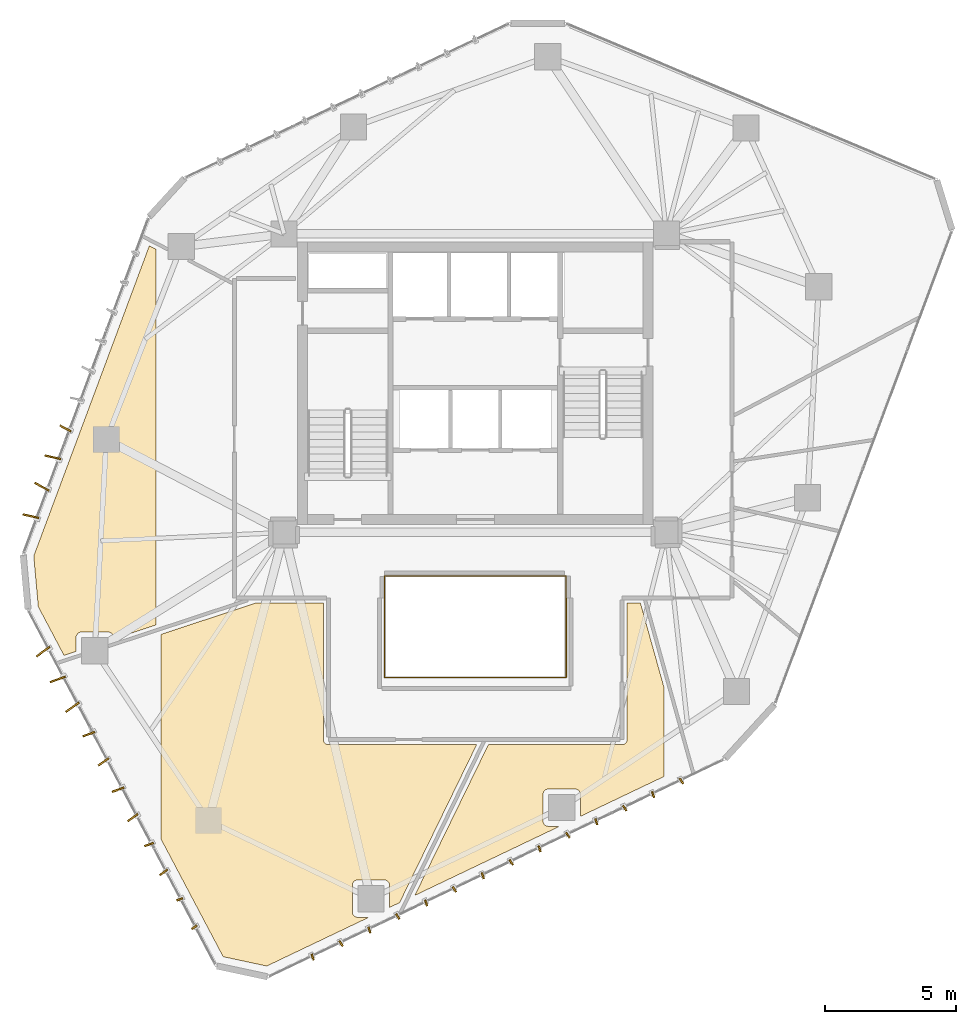
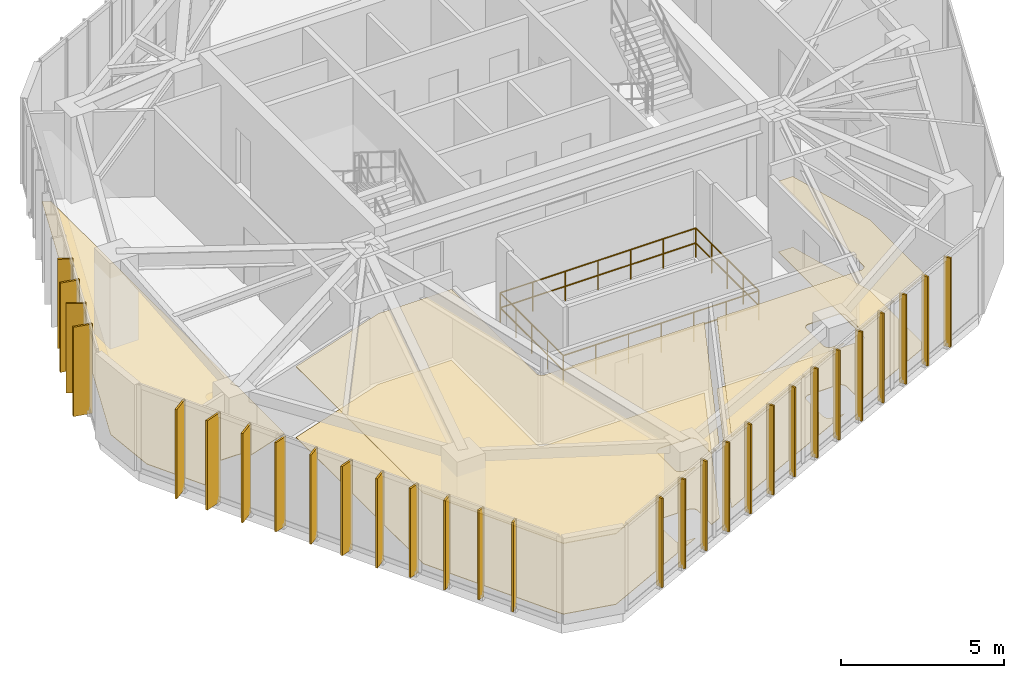
# One storey, part 17 of 18: 29 shading devices, 5 coverings, 4 railings.
"""IFC4 building model written with IfcOpenShell, lengths in metres."""

from ifc_helpers import new_model, si_unit, direction, frame, origin, origin_2d, place, context, subcontext, project, spatial, polyline, rectangle, circle, outline, extrude, source, transform, mapped, material, layer, layer_set, type_object, type_shapes, element, save


model = new_model("IFC4")

# Units and contexts
model_context = context("Model", 3, precision=1e-05, world=origin(), true_north=direction((0.0, 1.0)))
body_context = subcontext(model_context, "Body", "Model", "MODEL_VIEW")
ifc_project = project(units=[si_unit("LENGTHUNIT", "METRE"), si_unit("AREAUNIT", "SQUARE_METRE"), si_unit("VOLUMEUNIT", "CUBIC_METRE"), si_unit("PLANEANGLEUNIT", "RADIAN"), si_unit("MASSUNIT", "GRAM", prefix="KILO")], contexts=[model_context])

# Site, building, storey
site_placement = place(None, origin())
site = spatial("IfcSite", under=ifc_project, at=site_placement, CompositionType="ELEMENT")
building_placement = place(site_placement, origin())
building = spatial("IfcBuilding", under=site, at=building_placement, Name="Talar Marvaseh", CompositionType="ELEMENT")
storey_placement = place(building_placement, frame((0.0, 0.0, 167.0)))
storey = spatial("IfcBuildingStorey", under=building, at=storey_placement, Name="L43", CompositionType="ELEMENT", Elevation=167.0)

# Railings
ifc_material_1 = material(Name="Tempered Clear Glass", Category="glass")
railing_type = type_object("IfcRailingType", Name="Interior Atrium Edge Balustrade 1120", PredefinedType="BALUSTRADE", material=ifc_material_1)
railing_1_placement = place(storey_placement, frame((22.5302734375, 19.9609375, 0.0)))
element("IfcRailing", 1, at=railing_1_placement, inside=storey, type_object=railing_type, Name="L43 Internal Daylight Atrium Balustrade 1", PredefinedType="BALUSTRADE", context=body_context, shape_type="SweptSolid", body=[
    extrude(circle(Radius=0.02392578125, at=origin_2d()), frame((0.0, 0.0, 1.09619140625), z_axis=(1.0, 0.0, 0.0), x_axis=(0.0, 1.0, 0.0)), (0.0, 0.0, 1.0), 6.939453125),
    extrude(circle(Radius=0.02392578125, at=origin_2d()), frame((0.0, 0.0, 0.5361328125), z_axis=(1.0, 0.0, 0.0), x_axis=(0.0, 1.0, 0.0)), (0.0, 0.0, 1.0), 6.939453125),
    extrude(circle(Radius=0.02099609375, at=origin_2d()), origin(), (0.0, 0.0, 1.0), 1.072021484375),
    extrude(circle(Radius=0.02099609375, at=origin_2d()), frame((1.156494140625, 0.0, 0.0)), (0.0, 0.0, 1.0), 1.072021484375),
    extrude(circle(Radius=0.02099609375, at=origin_2d()), frame((2.313232421875, 0.0, 0.0)), (0.0, 0.0, 1.0), 1.072021484375),
    extrude(circle(Radius=0.02099609375, at=origin_2d()), frame((3.4697265625, 0.0, 0.0)), (0.0, 0.0, 1.0), 1.072021484375),
    extrude(circle(Radius=0.02099609375, at=origin_2d()), frame((4.626220703125, 0.0, 0.0)), (0.0, 0.0, 1.0), 1.072021484375),
    extrude(circle(Radius=0.02099609375, at=origin_2d()), frame((5.782958984375, 0.0, 0.0)), (0.0, 0.0, 1.0), 1.072021484375),
    extrude(circle(Radius=0.02099609375, at=origin_2d()), frame((6.939453125, 0.0, 0.0)), (0.0, 0.0, 1.0), 1.072021484375),
])
railing_2_placement = place(storey_placement, frame((29.4697265625, 19.9609375, 0.0)))
element("IfcRailing", 2, at=railing_2_placement, inside=storey, type_object=railing_type, Name="L43 Internal Daylight Atrium Balustrade 2", PredefinedType="BALUSTRADE", context=body_context, shape_type="SweptSolid", body=[
    extrude(circle(Radius=0.02392578125, at=origin_2d()), frame((0.0, 0.0, 1.09619140625), z_axis=(0.0, 1.0, 0.0), x_axis=(-1.0, 0.0, 0.0)), (0.0, 0.0, 1.0), 3.878173828125),
    extrude(circle(Radius=0.02392578125, at=origin_2d()), frame((0.0, 0.0, 0.5361328125), z_axis=(0.0, 1.0, 0.0), x_axis=(-1.0, 0.0, 0.0)), (0.0, 0.0, 1.0), 3.878173828125),
    extrude(circle(Radius=0.02099609375, at=origin_2d()), origin(), (0.0, 0.0, 1.0), 1.072021484375),
    extrude(circle(Radius=0.02099609375, at=origin_2d()), frame((0.0, 0.969482421875, 0.0)), (0.0, 0.0, 1.0), 1.072021484375),
    extrude(circle(Radius=0.02099609375, at=origin_2d()), frame((0.0, 1.93896484375, 0.0)), (0.0, 0.0, 1.0), 1.072021484375),
    extrude(circle(Radius=0.02099609375, at=origin_2d()), frame((0.0, 2.90869140625, 0.0)), (0.0, 0.0, 1.0), 1.072021484375),
    extrude(circle(Radius=0.02099609375, at=origin_2d()), frame((0.0, 3.878173828125, 0.0)), (0.0, 0.0, 1.0), 1.072021484375),
])
railing_3_placement = place(storey_placement, frame((29.4697265625, 23.839111328125, 0.0)))
element("IfcRailing", 3, at=railing_3_placement, inside=storey, type_object=railing_type, Name="L43 Internal Daylight Atrium Balustrade 3", PredefinedType="BALUSTRADE", context=body_context, shape_type="SweptSolid", body=[
    extrude(circle(Radius=0.02392578125, at=origin_2d()), frame((0.0, 0.0, 1.09619140625), z_axis=(-1.0, 0.0, 0.0), x_axis=(0.0, -1.0, 0.0)), (0.0, 0.0, 1.0), 6.939453125),
    extrude(circle(Radius=0.02392578125, at=origin_2d()), frame((0.0, 0.0, 0.5361328125), z_axis=(-1.0, 0.0, 0.0), x_axis=(0.0, -1.0, 0.0)), (0.0, 0.0, 1.0), 6.939453125),
    extrude(circle(Radius=0.02099609375, at=origin_2d()), origin(), (0.0, 0.0, 1.0), 1.072021484375),
    extrude(circle(Radius=0.02099609375, at=origin_2d()), frame((-1.156494140625, 0.0, 0.0)), (0.0, 0.0, 1.0), 1.072021484375),
    extrude(circle(Radius=0.02099609375, at=origin_2d()), frame((-2.313232421875, 0.0, 0.0)), (0.0, 0.0, 1.0), 1.072021484375),
    extrude(circle(Radius=0.02099609375, at=origin_2d()), frame((-3.4697265625, 0.0, 0.0)), (0.0, 0.0, 1.0), 1.072021484375),
    extrude(circle(Radius=0.02099609375, at=origin_2d()), frame((-4.626220703125, 0.0, 0.0)), (0.0, 0.0, 1.0), 1.072021484375),
    extrude(circle(Radius=0.02099609375, at=origin_2d()), frame((-5.782958984375, 0.0, 0.0)), (0.0, 0.0, 1.0), 1.072021484375),
    extrude(circle(Radius=0.02099609375, at=origin_2d()), frame((-6.939453125, 0.0, 0.0)), (0.0, 0.0, 1.0), 1.072021484375),
])
railing_4_placement = place(storey_placement, frame((22.5302734375, 23.839111328125, 0.0)))
element("IfcRailing", 4, at=railing_4_placement, inside=storey, type_object=railing_type, Name="L43 Internal Daylight Atrium Balustrade 4", PredefinedType="BALUSTRADE", context=body_context, shape_type="SweptSolid", body=[
    extrude(circle(Radius=0.02392578125, at=origin_2d()), frame((0.0, 0.0, 1.09619140625), z_axis=(0.0, -1.0, 0.0), x_axis=(1.0, 0.0, 0.0)), (0.0, 0.0, 1.0), 3.878173828125),
    extrude(circle(Radius=0.02392578125, at=origin_2d()), frame((0.0, 0.0, 0.5361328125), z_axis=(0.0, -1.0, 0.0), x_axis=(1.0, 0.0, 0.0)), (0.0, 0.0, 1.0), 3.878173828125),
    extrude(circle(Radius=0.02099609375, at=origin_2d()), origin(), (0.0, 0.0, 1.0), 1.072021484375),
    extrude(circle(Radius=0.02099609375, at=origin_2d()), frame((0.0, -0.969482421875, 0.0)), (0.0, 0.0, 1.0), 1.072021484375),
    extrude(circle(Radius=0.02099609375, at=origin_2d()), frame((0.0, -1.93896484375, 0.0)), (0.0, 0.0, 1.0), 1.072021484375),
    extrude(circle(Radius=0.02099609375, at=origin_2d()), frame((0.0, -2.90869140625, 0.0)), (0.0, 0.0, 1.0), 1.072021484375),
    extrude(circle(Radius=0.02099609375, at=origin_2d()), frame((0.0, -3.878173828125, 0.0)), (0.0, 0.0, 1.0), 1.072021484375),
])

# Coverings
ifc_material_2 = material(Name="Mineral Fibre Acoustic Ceiling")
ifc_layer_1 = layer(ifc_material_2, 0.02490234375)
ifc_layer_set_1 = layer_set([ifc_layer_1], Name="Mineral Fibre Acoustic Ceiling")
covering_type_1 = type_object("IfcCoveringType", Name="Perforated Mineral Fibre Acoustic Suspended Ceiling", PredefinedType="CEILING", material=ifc_layer_set_1)
covering_1_placement = place(storey_placement, frame((0.0, 0.0, 2.64990234375)))
element("IfcCovering", 5, at=covering_1_placement, inside=storey, type_object=covering_type_1, Name="L43 Seminar Room Acoustic Ceiling", PredefinedType="CEILING", context=body_context, shape_type="SweptSolid", body=[
    extrude(outline(polyline([(14.0, 21.610107421875), (17.603759765625, 22.800048828125), (20.199951171875, 22.800048828125), (20.199951171875, 17.60009765625), (20.200927734375, 17.580322265625), (20.203857421875, 17.56103515625), (20.20849609375, 17.5419921875), (20.215087890625, 17.5234375), (20.2236328125, 17.505615234375), (20.233642578125, 17.489013671875), (20.245361328125, 17.47314453125), (20.258544921875, 17.45849609375), (20.273193359375, 17.4453125), (20.288818359375, 17.43359375), (20.3056640625, 17.423583984375), (20.323486328125, 17.415283203125), (20.341796875, 17.40869140625), (20.361083984375, 17.40380859375), (20.38037109375, 17.40087890625), (20.39990234375, 17.39990234375), (26.0537109375, 17.39990234375), (23.112060546875, 11.366455078125), (22.726318359375, 11.182373046875), (22.72998046875, 12.019775390625), (22.72900390625, 12.038330078125), (22.7265625, 12.056640625), (22.722412109375, 12.074951171875), (22.716552734375, 12.092529296875), (22.708984375, 12.109619140625), (22.699951171875, 12.1259765625), (22.689208984375, 12.141357421875), (22.677490234375, 12.155517578125), (22.664306640625, 12.168701171875), (22.6494140625, 12.18212890625), (22.635009765625, 12.194091796875), (22.61962890625, 12.204345703125), (22.603515625, 12.21337890625), (22.586669921875, 12.220703125), (22.569091796875, 12.2265625), (22.551025390625, 12.230712890625), (22.53271484375, 12.233154296875), (22.51416015625, 12.23388671875), (21.50341796875, 12.2294921875), (21.48388671875, 12.228515625), (21.464599609375, 12.2255859375), (21.44580078125, 12.220703125), (21.42724609375, 12.214111328125), (21.40966796875, 12.205810546875), (21.392822265625, 12.195556640625), (21.377197265625, 12.183837890625), (21.36279296875, 12.170654296875), (21.349609375, 12.15625), (21.337890625, 12.140380859375), (21.327880859375, 12.12353515625), (21.319580078125, 12.10595703125), (21.31298828125, 12.08740234375), (21.30810546875, 12.068603515625), (21.305419921875, 12.049072265625), (21.304443359375, 12.029541015625), (21.304443359375, 11.00830078125), (21.305419921875, 10.98876953125), (21.30810546875, 10.969482421875), (21.31298828125, 10.9501953125), (21.319580078125, 10.931884765625), (21.327880859375, 10.9140625), (21.338134765625, 10.897216796875), (21.349853515625, 10.881591796875), (21.363037109375, 10.866943359375), (21.37744140625, 10.853759765625), (21.393310546875, 10.842041015625), (21.41015625, 10.83203125), (21.427978515625, 10.823486328125), (21.4462890625, 10.81689453125), (21.46533203125, 10.812255859375), (21.48486328125, 10.809326171875), (21.50439453125, 10.808349609375), (21.942626953125, 10.808349609375), (18.039306640625, 8.94580078125), (16.373779296875, 9.302001953125), (14.0, 13.79541015625), (14.0, 21.610107421875)])), origin(), (0.0, 0.0, 1.0), 0.025146484375),
])
covering_2_placement = place(storey_placement, frame((0.0, 0.0, 2.64990234375)))
element("IfcCovering", 6, at=covering_2_placement, inside=storey, type_object=covering_type_1, Name="L43 Museum Publication Bookshop Acoustic Ceiling", PredefinedType="CEILING", context=body_context, shape_type="SweptSolid", body=[
    extrude(outline(polyline([(31.61962890625, 17.40087890625), (31.638916015625, 17.40380859375), (31.658203125, 17.40869140625), (31.676513671875, 17.415283203125), (31.6943359375, 17.423583984375), (31.711181640625, 17.43359375), (31.726806640625, 17.4453125), (31.741455078125, 17.45849609375), (31.754638671875, 17.47314453125), (31.766357421875, 17.489013671875), (31.7763671875, 17.505615234375), (31.784912109375, 17.5234375), (31.79150390625, 17.5419921875), (31.796142578125, 17.56103515625), (31.799072265625, 17.580322265625), (31.800048828125, 17.60009765625), (31.800048828125, 22.800048828125), (32.30615234375, 22.800048828125), (33.199951171875, 19.60205078125), (33.199951171875, 16.179931640625), (30.01025390625, 14.657958984375), (30.013916015625, 15.49462890625), (30.01318359375, 15.51318359375), (30.010498046875, 15.53173828125), (30.00634765625, 15.5498046875), (30.00048828125, 15.567626953125), (29.992919921875, 15.584716796875), (29.98388671875, 15.600830078125), (29.973388671875, 15.6162109375), (29.96142578125, 15.630615234375), (29.9482421875, 15.643798828125), (29.933349609375, 15.6572265625), (29.9189453125, 15.6689453125), (29.90380859375, 15.679443359375), (29.887451171875, 15.688232421875), (29.87060546875, 15.69580078125), (29.85302734375, 15.70166015625), (29.8349609375, 15.705810546875), (29.816650390625, 15.708251953125), (29.798095703125, 15.708984375), (28.78759765625, 15.70458984375), (28.76806640625, 15.70361328125), (28.74853515625, 15.70068359375), (28.729736328125, 15.69580078125), (28.711181640625, 15.689208984375), (28.693603515625, 15.6806640625), (28.6767578125, 15.670654296875), (28.6611328125, 15.658935546875), (28.646728515625, 15.645751953125), (28.633544921875, 15.631103515625), (28.621826171875, 15.615478515625), (28.61181640625, 15.5986328125), (28.603515625, 15.580810546875), (28.596923828125, 15.5625), (28.59228515625, 15.54345703125), (28.58935546875, 15.524169921875), (28.58837890625, 15.504638671875), (28.58837890625, 14.4833984375), (28.58935546875, 14.4638671875), (28.59228515625, 14.4443359375), (28.596923828125, 14.42529296875), (28.603515625, 14.406982421875), (28.612060546875, 14.38916015625), (28.6220703125, 14.372314453125), (28.6337890625, 14.3564453125), (28.64697265625, 14.342041015625), (28.66162109375, 14.328857421875), (28.67724609375, 14.317138671875), (28.694091796875, 14.306884765625), (28.7119140625, 14.298583984375), (28.730224609375, 14.2919921875), (28.74951171875, 14.287109375), (28.768798828125, 14.284423828125), (28.788330078125, 14.283447265625), (29.225341796875, 14.283447265625), (23.69189453125, 11.64306640625), (26.49853515625, 17.39990234375), (31.60009765625, 17.39990234375), (31.61962890625, 17.40087890625)])), origin(), (0.0, 0.0, 1.0), 0.025146484375),
])
ifc_material_3 = material(Name="Porcelain Stoneware Tile", Category="masonry")
ifc_layer_2 = layer(ifc_material_3, 0.02001953125)
ifc_layer_set_2 = layer_set([ifc_layer_2], Name="Porcelain Stoneware Tile")
covering_type_2 = type_object("IfcCoveringType", Name="Polished Porcelain Stoneware Gallery Flooring", PredefinedType="FLOORING", material=ifc_layer_set_2)
covering_3_placement = place(storey_placement, origin())
element("IfcCovering", 7, at=covering_3_placement, inside=storey, type_object=covering_type_2, Name="L43 Seminar Room Flooring", PredefinedType="FLOORING", context=body_context, shape_type="SweptSolid", body=[
    extrude(outline(polyline([(14.0, 21.610107421875), (17.603759765625, 22.800048828125), (20.199951171875, 22.800048828125), (20.199951171875, 17.60009765625), (20.200927734375, 17.580322265625), (20.203857421875, 17.56103515625), (20.20849609375, 17.5419921875), (20.215087890625, 17.5234375), (20.2236328125, 17.505615234375), (20.233642578125, 17.489013671875), (20.245361328125, 17.47314453125), (20.258544921875, 17.45849609375), (20.273193359375, 17.4453125), (20.288818359375, 17.43359375), (20.3056640625, 17.423583984375), (20.323486328125, 17.415283203125), (20.341796875, 17.40869140625), (20.361083984375, 17.40380859375), (20.38037109375, 17.40087890625), (20.39990234375, 17.39990234375), (26.0537109375, 17.39990234375), (23.112060546875, 11.366455078125), (22.726318359375, 11.182373046875), (22.72998046875, 12.019775390625), (22.72900390625, 12.038330078125), (22.7265625, 12.056640625), (22.722412109375, 12.074951171875), (22.716552734375, 12.092529296875), (22.708984375, 12.109619140625), (22.699951171875, 12.1259765625), (22.689208984375, 12.141357421875), (22.677490234375, 12.155517578125), (22.664306640625, 12.168701171875), (22.6494140625, 12.18212890625), (22.635009765625, 12.194091796875), (22.61962890625, 12.204345703125), (22.603515625, 12.21337890625), (22.586669921875, 12.220703125), (22.569091796875, 12.2265625), (22.551025390625, 12.230712890625), (22.53271484375, 12.233154296875), (22.51416015625, 12.23388671875), (21.50341796875, 12.2294921875), (21.48388671875, 12.228515625), (21.464599609375, 12.2255859375), (21.44580078125, 12.220703125), (21.42724609375, 12.214111328125), (21.40966796875, 12.205810546875), (21.392822265625, 12.195556640625), (21.377197265625, 12.183837890625), (21.36279296875, 12.170654296875), (21.349609375, 12.15625), (21.337890625, 12.140380859375), (21.327880859375, 12.12353515625), (21.319580078125, 12.10595703125), (21.31298828125, 12.08740234375), (21.30810546875, 12.068603515625), (21.305419921875, 12.049072265625), (21.304443359375, 12.029541015625), (21.304443359375, 11.00830078125), (21.305419921875, 10.98876953125), (21.30810546875, 10.969482421875), (21.31298828125, 10.9501953125), (21.319580078125, 10.931884765625), (21.327880859375, 10.9140625), (21.338134765625, 10.897216796875), (21.349853515625, 10.881591796875), (21.363037109375, 10.866943359375), (21.37744140625, 10.853759765625), (21.393310546875, 10.842041015625), (21.41015625, 10.83203125), (21.427978515625, 10.823486328125), (21.4462890625, 10.81689453125), (21.46533203125, 10.812255859375), (21.48486328125, 10.809326171875), (21.50439453125, 10.808349609375), (21.942626953125, 10.808349609375), (18.039306640625, 8.94580078125), (16.373779296875, 9.302001953125), (14.0, 13.79541015625), (14.0, 21.610107421875)])), origin(), (0.0, 0.0, 1.0), 0.02001953125),
])
covering_4_placement = place(storey_placement, origin())
element("IfcCovering", 8, at=covering_4_placement, inside=storey, type_object=covering_type_2, Name="L43 Museum Publication Bookshop Flooring", PredefinedType="FLOORING", context=body_context, shape_type="SweptSolid", body=[
    extrude(outline(polyline([(31.61962890625, 17.40087890625), (31.638916015625, 17.40380859375), (31.658203125, 17.40869140625), (31.676513671875, 17.415283203125), (31.6943359375, 17.423583984375), (31.711181640625, 17.43359375), (31.726806640625, 17.4453125), (31.741455078125, 17.45849609375), (31.754638671875, 17.47314453125), (31.766357421875, 17.489013671875), (31.7763671875, 17.505615234375), (31.784912109375, 17.5234375), (31.79150390625, 17.5419921875), (31.796142578125, 17.56103515625), (31.799072265625, 17.580322265625), (31.800048828125, 17.60009765625), (31.800048828125, 22.800048828125), (32.30615234375, 22.800048828125), (33.199951171875, 19.60205078125), (33.199951171875, 16.179931640625), (30.01025390625, 14.657958984375), (30.013916015625, 15.49462890625), (30.01318359375, 15.51318359375), (30.010498046875, 15.53173828125), (30.00634765625, 15.5498046875), (30.00048828125, 15.567626953125), (29.992919921875, 15.584716796875), (29.98388671875, 15.600830078125), (29.973388671875, 15.6162109375), (29.96142578125, 15.630615234375), (29.9482421875, 15.643798828125), (29.933349609375, 15.6572265625), (29.9189453125, 15.6689453125), (29.90380859375, 15.679443359375), (29.887451171875, 15.688232421875), (29.87060546875, 15.69580078125), (29.85302734375, 15.70166015625), (29.8349609375, 15.705810546875), (29.816650390625, 15.708251953125), (29.798095703125, 15.708984375), (28.78759765625, 15.70458984375), (28.76806640625, 15.70361328125), (28.74853515625, 15.70068359375), (28.729736328125, 15.69580078125), (28.711181640625, 15.689208984375), (28.693603515625, 15.6806640625), (28.6767578125, 15.670654296875), (28.6611328125, 15.658935546875), (28.646728515625, 15.645751953125), (28.633544921875, 15.631103515625), (28.621826171875, 15.615478515625), (28.61181640625, 15.5986328125), (28.603515625, 15.580810546875), (28.596923828125, 15.5625), (28.59228515625, 15.54345703125), (28.58935546875, 15.524169921875), (28.58837890625, 15.504638671875), (28.58837890625, 14.4833984375), (28.58935546875, 14.4638671875), (28.59228515625, 14.4443359375), (28.596923828125, 14.42529296875), (28.603515625, 14.406982421875), (28.612060546875, 14.38916015625), (28.6220703125, 14.372314453125), (28.6337890625, 14.3564453125), (28.64697265625, 14.342041015625), (28.66162109375, 14.328857421875), (28.67724609375, 14.317138671875), (28.694091796875, 14.306884765625), (28.7119140625, 14.298583984375), (28.730224609375, 14.2919921875), (28.74951171875, 14.287109375), (28.768798828125, 14.284423828125), (28.788330078125, 14.283447265625), (29.225341796875, 14.283447265625), (23.69189453125, 11.64306640625), (26.49853515625, 17.39990234375), (31.60009765625, 17.39990234375), (31.61962890625, 17.40087890625)])), origin(), (0.0, 0.0, 1.0), 0.02001953125),
])
covering_5_placement = place(storey_placement, origin())
element("IfcCovering", 9, at=covering_5_placement, inside=storey, type_object=covering_type_2, Name="L43 Archival Facsimile Boutique Flooring", PredefinedType="FLOORING", context=body_context, shape_type="SweptSolid", body=[
    extrude(outline(polyline([(13.800048828125, 36.31884765625), (13.800048828125, 21.96533203125), (12.18701171875, 21.432861328125), (12.18701171875, 21.486083984375), (12.185791015625, 21.507080078125), (12.1826171875, 21.528076171875), (12.177001953125, 21.54833984375), (12.16943359375, 21.568115234375), (12.15966796875, 21.5869140625), (12.148193359375, 21.6044921875), (12.137451171875, 21.618896484375), (12.125732421875, 21.633544921875), (12.112548828125, 21.64697265625), (12.098388671875, 21.658935546875), (12.0830078125, 21.669677734375), (12.066650390625, 21.678955078125), (12.049560546875, 21.6865234375), (12.03173828125, 21.692626953125), (12.013671875, 21.697021484375), (11.9951171875, 21.699462890625), (11.976318359375, 21.700439453125), (10.967529296875, 21.700439453125), (10.948974609375, 21.699462890625), (10.930419921875, 21.697021484375), (10.912109375, 21.692626953125), (10.894287109375, 21.6865234375), (10.87744140625, 21.678955078125), (10.861083984375, 21.669677734375), (10.845703125, 21.658935546875), (10.831298828125, 21.64697265625), (10.818359375, 21.633544921875), (10.806396484375, 21.618896484375), (10.7958984375, 21.6044921875), (10.7841796875, 21.5869140625), (10.774658203125, 21.568115234375), (10.76708984375, 21.54833984375), (10.761474609375, 21.528076171875), (10.758056640625, 21.507080078125), (10.757080078125, 21.486083984375), (10.757080078125, 20.960693359375), (10.29541015625, 20.80810546875), (9.31494140625, 22.6640625), (9.141357421875, 24.599609375), (13.5546875, 36.4462890625), (13.800048828125, 36.31884765625)])), origin(), (0.0, 0.0, 1.0), 0.02001953125),
])

# Shading devices
ifc_material_4 = material(Name="Anodised Champagne Bronze Aluminium", Category="aluminium")
ifc_layer_3 = layer(ifc_material_4, 0.06494140625)
ifc_layer_set_3 = layer_set([ifc_layer_3], Name="Anodised Champagne Bronze Aluminium")
shading_device_type_1 = type_object("IfcShadingDeviceType", Name="Sawtooth Champagne Bronze Vertical Fin 240", PredefinedType="USERDEFINED", material=ifc_layer_set_3)
shared_shape_1 = source(origin(), body_context, "Body", "SweptSolid", [
    extrude(rectangle(XDim=0.239990234375, YDim=0.06494140625, at=origin_2d()), origin(), (0.0, 0.0, 1.0), 3.35009765625),
])
type_shapes(shading_device_type_1, [shared_shape_1])
for number, where, z_axis, x_axis, name in (
    (10, (15.274658203125, 10.429931640625, -0.1201171875), (0.0, 0.0, 1.0), (-0.810553038353, -0.585665238866, 0.0), "L43 Sawtooth Vertical Solar Fin"),
    (11, (14.714111328125, 11.490966796875, -0.1201171875), (0.0, 0.0, 1.0), (-0.94058480613, -0.339558864524, 0.0), "L43 Sawtooth Vertical Solar Fin"),
    (12, (33.8701171875, 16.006591796875, -0.1201171875), (0.0, 0.0, 1.0), (0.552082517437, -0.83378947819, 0.0), "L43 Sawtooth Vertical Solar Fin"),
    (13, (32.787109375, 15.489990234375, -0.1201171875), (0.0, 0.0, 1.0), (0.300872249933, -0.95366445316, 0.0), "L43 Sawtooth Vertical Solar Fin"),
    (14, (31.7041015625, 14.97314453125, -0.1201171875), (0.0, 0.0, 1.0), (0.552082517437, -0.83378947819, 0.0), "L43 Sawtooth Vertical Solar Fin"),
    (15, (30.62109375, 14.456298828125, -0.1201171875), (0.0, 0.0, 1.0), (0.300872249933, -0.95366445316, 0.0), "L43 Sawtooth Vertical Solar Fin"),
    (16, (29.5380859375, 13.939453125, -0.1201171875), (0.0, 0.0, 1.0), (0.552082517437, -0.83378947819, 0.0), "L43 Sawtooth Vertical Solar Fin"),
    (17, (28.455078125, 13.4228515625, -0.1201171875), (0.0, 0.0, 1.0), (0.300872249933, -0.95366445316, 0.0), "L43 Sawtooth Vertical Solar Fin"),
    (18, (27.371826171875, 12.906005859375, -0.1201171875), (0.0, 0.0, 1.0), (0.552082517437, -0.83378947819, 0.0), "L43 Sawtooth Vertical Solar Fin"),
    (19, (26.288818359375, 12.38916015625, -0.1201171875), (0.0, 0.0, 1.0), (0.300872249933, -0.95366445316, 0.0), "L43 Sawtooth Vertical Solar Fin"),
    (20, (25.205810546875, 11.872314453125, -0.1201171875), (0.0, 0.0, 1.0), (0.552082517437, -0.83378947819, 0.0), "L43 Sawtooth Vertical Solar Fin"),
    (21, (24.122802734375, 11.355712890625, -0.1201171875), (0.0, 0.0, 1.0), (0.300872249933, -0.95366445316, 0.0), "L43 Sawtooth Vertical Solar Fin"),
    (22, (23.039794921875, 10.8388671875, -0.1201171875), (0.0, 0.0, 1.0), (0.552082517437, -0.83378947819, 0.0), "L43 Sawtooth Vertical Solar Fin"),
    (23, (21.956787109375, 10.322021484375, -0.1201171875), (0.0, 0.0, 1.0), (0.300872249933, -0.95366445316, 0.0), "L43 Sawtooth Vertical Solar Fin"),
    (24, (20.873779296875, 9.805419921875, -0.1201171875), (0.0, 0.0, 1.0), (0.552082517437, -0.83378947819, 0.0), "L43 Sawtooth Vertical Solar Fin"),
    (25, (19.790771484375, 9.28857421875, -0.1201171875), (0.0, 0.0, 1.0), (0.300872249933, -0.95366445316, 0.0), "L43 Sawtooth Vertical Solar Fin"),
):
    element("IfcShadingDevice", number, at=place(storey_placement, frame(where, z_axis=z_axis, x_axis=x_axis)), inside=storey, type_object=shading_device_type_1, Name=name, ObjectType="FIN", PredefinedType="USERDEFINED", context=body_context, shape_type="MappedRepresentation", body=[
        mapped(shared_shape_1, transform((0.0, 0.0, 0.0), x_axis=(1.0, 0.0, 0.0), y_axis=(0.0, 1.0, 0.0), z_axis=(0.0, 0.0, 1.0), scale=1.0)),
    ])
ifc_layer_4 = layer(ifc_material_4, 0.06494140625)
ifc_layer_set_4 = layer_set([ifc_layer_4], Name="Anodised Champagne Bronze Aluminium")
shading_device_type_2 = type_object("IfcShadingDeviceType", Name="Sawtooth Champagne Bronze Vertical Fin 360", PredefinedType="USERDEFINED", material=ifc_layer_set_4)
shared_shape_2 = source(origin(), body_context, "Body", "SweptSolid", [
    extrude(rectangle(XDim=0.360107421875, YDim=0.06494140625, at=origin_2d()), origin(), (0.0, 0.0, 1.0), 3.35009765625),
])
type_shapes(shading_device_type_2, [shared_shape_2])
for number, where, z_axis, x_axis, name in (
    (26, (14.1005859375, 12.52392578125, -0.1201171875), (0.0, 0.0, 1.0), (-0.810553038353, -0.585665238866, 0.0), "L43 Sawtooth Vertical Solar Fin"),
    (27, (13.5400390625, 13.585205078125, -0.1201171875), (0.0, 0.0, 1.0), (-0.94058480613, -0.339558864524, 0.0), "L43 Sawtooth Vertical Solar Fin"),
):
    element("IfcShadingDevice", number, at=place(storey_placement, frame(where, z_axis=z_axis, x_axis=x_axis)), inside=storey, type_object=shading_device_type_2, Name=name, ObjectType="FIN", PredefinedType="USERDEFINED", context=body_context, shape_type="MappedRepresentation", body=[
        mapped(shared_shape_2, transform((0.0, 0.0, 0.0), x_axis=(1.0, 0.0, 0.0), y_axis=(0.0, 1.0, 0.0), z_axis=(0.0, 0.0, 1.0), scale=1.0)),
    ])
ifc_layer_5 = layer(ifc_material_4, 0.06494140625)
ifc_layer_set_5 = layer_set([ifc_layer_5], Name="Anodised Champagne Bronze Aluminium")
shading_device_type_3 = type_object("IfcShadingDeviceType", Name="Sawtooth Champagne Bronze Vertical Fin 480", PredefinedType="USERDEFINED", material=ifc_layer_set_5)
shared_shape_3 = source(origin(), body_context, "Body", "SweptSolid", [
    extrude(rectangle(XDim=0.47998046875, YDim=0.06494140625, at=origin_2d()), origin(), (0.0, 0.0, 1.0), 3.35009765625),
])
type_shapes(shading_device_type_3, [shared_shape_3])
for number, where, z_axis, x_axis, name in (
    (28, (12.926513671875, 14.6181640625, -0.1201171875), (0.0, 0.0, 1.0), (-0.810553038353, -0.585665238866, 0.0), "L43 Sawtooth Vertical Solar Fin"),
    (29, (12.365966796875, 15.67919921875, -0.1201171875), (0.0, 0.0, 1.0), (-0.94058480613, -0.339558864524, 0.0), "L43 Sawtooth Vertical Solar Fin"),
    (30, (11.805419921875, 16.740234375, -0.1201171875), (0.0, 0.0, 1.0), (-0.810553038353, -0.585665238866, 0.0), "L43 Sawtooth Vertical Solar Fin"),
    (31, (11.244873046875, 17.80126953125, -0.1201171875), (0.0, 0.0, 1.0), (-0.94058480613, -0.339558864524, 0.0), "L43 Sawtooth Vertical Solar Fin"),
    (32, (10.353515625, 29.4716796875, -0.1201171875), (0.0, 0.0, 1.0), (-0.879399416044, 0.476084726767, 0.0), "L43 Sawtooth Vertical Solar Fin"),
):
    element("IfcShadingDevice", number, at=place(storey_placement, frame(where, z_axis=z_axis, x_axis=x_axis)), inside=storey, type_object=shading_device_type_3, Name=name, ObjectType="FIN", PredefinedType="USERDEFINED", context=body_context, shape_type="MappedRepresentation", body=[
        mapped(shared_shape_3, transform((0.0, 0.0, 0.0), x_axis=(1.0, 0.0, 0.0), y_axis=(0.0, 1.0, 0.0), z_axis=(0.0, 0.0, 1.0), scale=1.0)),
    ])
ifc_layer_6 = layer(ifc_material_4, 0.06494140625)
ifc_layer_set_6 = layer_set([ifc_layer_6], Name="Anodised Champagne Bronze Aluminium")
shading_device_type_4 = type_object("IfcShadingDeviceType", Name="Sawtooth Champagne Bronze Vertical Fin 620", PredefinedType="USERDEFINED", material=ifc_layer_set_6)
shared_shape_4 = source(origin(), body_context, "Body", "SweptSolid", [
    extrude(rectangle(XDim=0.6201171875, YDim=0.06494140625, at=origin_2d()), origin(), (0.0, 0.0, 1.0), 3.35009765625),
])
type_shapes(shading_device_type_4, [shared_shape_4])
for number, where, z_axis, x_axis, name in (
    (33, (10.622314453125, 18.82958984375, -0.1201171875), (0.0, 0.0, 1.0), (-0.810553038353, -0.585665238866, 0.0), "L43 Sawtooth Vertical Solar Fin"),
    (34, (10.06201171875, 19.890625, -0.1201171875), (0.0, 0.0, 1.0), (-0.94058480613, -0.339558864524, 0.0), "L43 Sawtooth Vertical Solar Fin"),
    (35, (9.50146484375, 20.95166015625, -0.1201171875), (0.0, 0.0, 1.0), (-0.810553038353, -0.585665238866, 0.0), "L43 Sawtooth Vertical Solar Fin"),
    (36, (9.031005859375, 26.12255859375, -0.1201171875), (0.0, 0.0, 1.0), (-0.976559709305, 0.215246682117, 0.0), "L43 Sawtooth Vertical Solar Fin"),
    (37, (9.449951171875, 27.2470703125, -0.1201171875), (0.0, 0.0, 1.0), (-0.879399416044, 0.476084726767, 0.0), "L43 Sawtooth Vertical Solar Fin"),
    (38, (9.868896484375, 28.37158203125, -0.1201171875), (0.0, 0.0, 1.0), (-0.976559709305, 0.215246682117, 0.0), "L43 Sawtooth Vertical Solar Fin"),
):
    element("IfcShadingDevice", number, at=place(storey_placement, frame(where, z_axis=z_axis, x_axis=x_axis)), inside=storey, type_object=shading_device_type_4, Name=name, ObjectType="FIN", PredefinedType="USERDEFINED", context=body_context, shape_type="MappedRepresentation", body=[
        mapped(shared_shape_4, transform((0.0, 0.0, 0.0), x_axis=(1.0, 0.0, 0.0), y_axis=(0.0, 1.0, 0.0), z_axis=(0.0, 0.0, 1.0), scale=1.0)),
    ])

save(model, "model.ifc")
